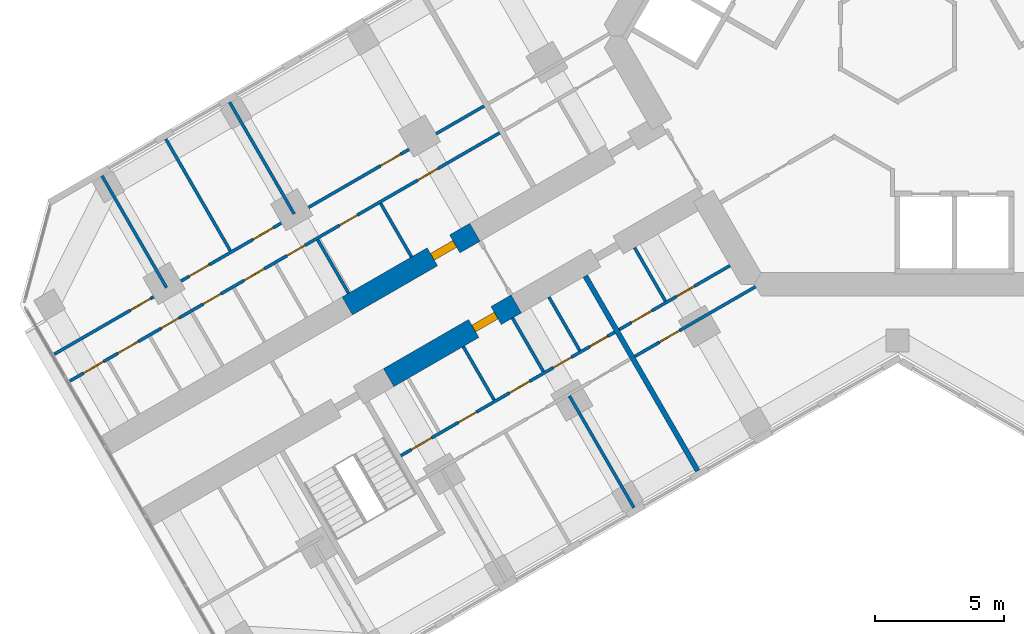
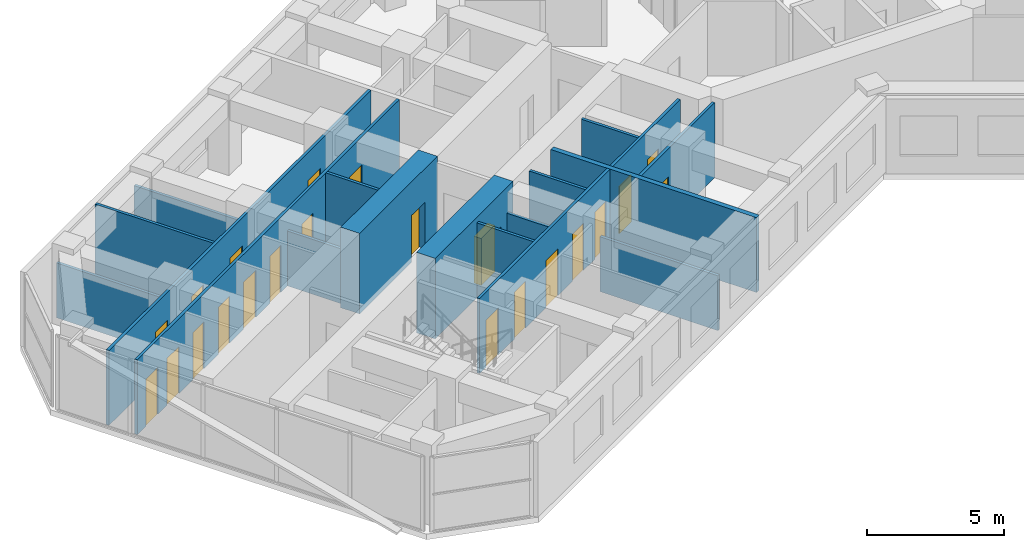
# One storey, part 11 of 19: 22 doors, 18 walls, 22 openings.
"""IFC4 building model written with IfcOpenShell, lengths in metres."""

from ifc_helpers import new_model, si_unit, direction, frame, frame_2d, origin, place, context, subcontext, project, spatial, rectangle, extrude, material, layer, layer_set, type_object, element, fill, save


model = new_model("IFC4")

# Units and contexts
model_context = context("Model", 3, precision=1e-05, world=origin(), true_north=direction((0.0, 1.0)))
body_context = subcontext(model_context, "Body", "Model", "MODEL_VIEW")
ifc_project = project(units=[si_unit("LENGTHUNIT", "METRE"), si_unit("AREAUNIT", "SQUARE_METRE"), si_unit("VOLUMEUNIT", "CUBIC_METRE"), si_unit("PLANEANGLEUNIT", "RADIAN"), si_unit("MASSUNIT", "GRAM", prefix="KILO")], contexts=[model_context])

# Site, building, storey
site_placement = place(None, origin())
site = spatial("IfcSite", under=ifc_project, at=site_placement, CompositionType="ELEMENT")
building_placement = place(site_placement, origin())
building = spatial("IfcBuilding", under=site, at=building_placement, Name="Kosmar Iwan School Tower", CompositionType="ELEMENT")
storey_placement = place(building_placement, frame((0.0, 0.0, 172.39990234375)))
storey = spatial("IfcBuildingStorey", under=building, at=storey_placement, Name="L43", CompositionType="ELEMENT", Elevation=172.39990234375)

# Wall, opening, door
ifc_material_1 = material(Name="Concrete C50/60", Category="concrete")
ifc_layer_1 = layer(ifc_material_1, 0.800048828125)
ifc_layer_set_1 = layer_set([ifc_layer_1], Name="Corridor buttress wall 800")
wall_type_1 = type_object("IfcWallType", Name="Corridor buttress wall 800", PredefinedType="SHEAR", material=ifc_layer_set_1)
wall_1_placement = place(storey_placement, frame((-14.7451171875, -10.360595703125, 0.0), z_axis=(0.0, 0.0, 1.0), x_axis=(-0.866015111908, -0.50001782563, 0.0)))
wall_1 = element("IfcWall", 1, at=wall_1_placement, inside=storey, type_object=wall_type_1, Name="Corridor wall BL bay 2", PredefinedType="SHEAR", context=body_context, shape_type="SweptSolid", body=[
    extrude(rectangle(XDim=5.699951171875, YDim=0.800048828125, at=frame_2d((2.85009765625, 0.0))), origin(), (0.0, 0.0, 1.0), 3.60009765625),
])
opening_1_placement = place(wall_1_placement, frame((0.89990234375, 0.0, 0.0)))
opening_1 = element("IfcOpeningElement", 2, at=opening_1_placement, cuts=wall_1, Name="Opening D1", PredefinedType="OPENING", context=body_context, shape_type="SweptSolid", body=[
    extrude(rectangle(XDim=1.0, YDim=2.10009765625, at=frame_2d((0.5, 1.050048828125))), frame((0.0, 0.412109375, 0.0), z_axis=(0.0, -1.0, 0.0), x_axis=(1.0, 0.0, 0.0)), (0.0, 0.0, 1.0), 0.823974609375),
])
ifc_material_2 = material(Name="Timber fire door in steel frame", Category="steel")
door_type_1 = type_object("IfcDoorType", Name="Flat entrance door 1000x2100", OperationType="SINGLE_SWING_LEFT", PredefinedType="DOOR", material=ifc_material_2)
door_1_placement = place(opening_1_placement, origin())
door_1 = element("IfcDoor", 3, at=door_1_placement, inside=storey, type_object=door_type_1, Name="Flat L43-BL2 entrance door", OperationType="SINGLE_SWING_LEFT", OverallHeight=2.10009765625, OverallWidth=1.0, PredefinedType="DOOR", context=body_context, shape_type="SweptSolid", body=[
    extrude(rectangle(XDim=1.0, YDim=2.10009765625, at=frame_2d((0.5, 1.050048828125))), frame((0.0, 0.14990234375, 0.0), z_axis=(0.0, -1.0, 0.0), x_axis=(1.0, 0.0, 0.0)), (0.0, 0.0, 1.0), 0.300048828125),
])
fill(opening_1, door_1)

wall_2_placement = place(storey_placement, frame((-16.34521484375, -7.58935546875, 0.0), z_axis=(0.0, 0.0, 1.0), x_axis=(-0.866015111908, -0.50001782563, 0.0)))
wall_2 = element("IfcWall", 4, at=wall_2_placement, inside=storey, type_object=wall_type_1, Name="Corridor wall BR bay 2", PredefinedType="SHEAR", context=body_context, shape_type="SweptSolid", body=[
    extrude(rectangle(XDim=5.699951171875, YDim=0.800048828125, at=frame_2d((2.85009765625, 0.0))), origin(), (0.0, 0.0, 1.0), 3.60009765625),
])
opening_2_placement = place(wall_2_placement, frame((0.89990234375, 0.0, 0.0)))
opening_2 = element("IfcOpeningElement", 5, at=opening_2_placement, cuts=wall_2, Name="Opening D1", PredefinedType="OPENING", context=body_context, shape_type="SweptSolid", body=[
    extrude(rectangle(XDim=1.0, YDim=2.10009765625, at=frame_2d((0.5, 1.050048828125))), frame((0.0, 0.412109375, 0.0), z_axis=(0.0, -1.0, 0.0), x_axis=(1.0, 0.0, 0.0)), (0.0, 0.0, 1.0), 0.823974609375),
])
door_2_placement = place(opening_2_placement, origin())
door_2 = element("IfcDoor", 6, at=door_2_placement, inside=storey, type_object=door_type_1, Name="Flat L43-BR2 entrance door", OperationType="SINGLE_SWING_LEFT", OverallHeight=2.10009765625, OverallWidth=1.0, PredefinedType="DOOR", context=body_context, shape_type="SweptSolid", body=[
    extrude(rectangle(XDim=1.0, YDim=2.10009765625, at=frame_2d((0.5, 1.050048828125))), frame((0.0, 0.14990234375, 0.0), z_axis=(0.0, -1.0, 0.0), x_axis=(1.0, 0.0, 0.0)), (0.0, 0.0, 1.0), 0.300048828125),
])
fill(opening_2, door_2)

# Wall, openings, doors
ifc_material_3 = material(Name="Gypsum board on steel studs", Category="steel")
ifc_layer_2 = layer(ifc_material_3, 0.1201171875)
ifc_layer_set_2 = layer_set([ifc_layer_2], Name="Dwelling partition 120")
wall_type_2 = type_object("IfcWallType", Name="Dwelling partition 120", PredefinedType="PARTITIONING", material=ifc_layer_set_2)
wall_3_placement = place(storey_placement, frame((-6.478515625, -8.87890625, 0.0), z_axis=(0.0, 0.0, 1.0), x_axis=(-0.866040211805, -0.499974350878, 0.0)))
wall_3 = element("IfcWall", 7, at=wall_3_placement, inside=storey, type_object=wall_type_2, Name="Partition L43-BL1-W1", PredefinedType="PARTITIONING", context=body_context, shape_type="SweptSolid", body=[
    extrude(rectangle(XDim=4.949951171875, YDim=0.1201171875, at=frame_2d((2.47509765625, 0.0))), origin(), (0.0, 0.0, 1.0), 3.35009765625),
])
opening_3_placement = place(wall_3_placement, frame((1.60009765625, 0.0, 0.0)))
opening_3 = element("IfcOpeningElement", 8, at=opening_3_placement, cuts=wall_3, Name="Opening D3", PredefinedType="OPENING", context=body_context, shape_type="SweptSolid", body=[
    extrude(rectangle(XDim=0.800048828125, YDim=2.10009765625, at=frame_2d((0.39990234375, 1.050048828125))), frame((0.0, 0.072021484375, 0.0), z_axis=(0.0, -1.0, 0.0), x_axis=(1.0, 0.0, 0.0)), (0.0, 0.0, 1.0), 0.14404296875),
])
opening_4_placement = place(wall_3_placement, frame((3.5, 0.0, 0.0)))
opening_4 = element("IfcOpeningElement", 9, at=opening_4_placement, cuts=wall_3, Name="Opening D2", PredefinedType="OPENING", context=body_context, shape_type="SweptSolid", body=[
    extrude(rectangle(XDim=0.89990234375, YDim=2.10009765625, at=frame_2d((0.449951171875, 1.050048828125))), frame((0.0, 0.072021484375, 0.0), z_axis=(0.0, -1.0, 0.0), x_axis=(1.0, 0.0, 0.0)), (0.0, 0.0, 1.0), 0.14404296875),
])
ifc_material_4 = material(Name="Timber door in timber frame", Category="wood")
door_type_2 = type_object("IfcDoorType", Name="Internal door 900x2100", OperationType="SINGLE_SWING_LEFT", PredefinedType="DOOR", material=ifc_material_4)
door_3_placement = place(opening_4_placement, origin())
door_3 = element("IfcDoor", 10, at=door_3_placement, inside=storey, type_object=door_type_2, Name="Entrance hall door L43-BL1-S2", OperationType="SINGLE_SWING_RIGHT", OverallHeight=2.10009765625, OverallWidth=0.89990234375, PredefinedType="DOOR", context=body_context, shape_type="SweptSolid", body=[
    extrude(rectangle(XDim=0.89990234375, YDim=2.10009765625, at=frame_2d((0.449951171875, 1.050048828125))), frame((0.0, 0.02490234375, 0.0), z_axis=(0.0, -1.0, 0.0), x_axis=(1.0, 0.0, 0.0)), (0.0, 0.0, 1.0), 0.050048828125),
])
fill(opening_4, door_3)
ifc_material_5 = material(Name="Timber door in timber frame", Category="wood")
door_type_3 = type_object("IfcDoorType", Name="Sanitary room door 800x2100", OperationType="SINGLE_SWING_LEFT", PredefinedType="DOOR", material=ifc_material_5)
door_4_placement = place(opening_3_placement, origin())
door_4 = element("IfcDoor", 11, at=door_4_placement, inside=storey, type_object=door_type_3, Name="Bathroom door L43-BL1-S1", OperationType="SINGLE_SWING_LEFT", OverallHeight=2.10009765625, OverallWidth=0.800048828125, PredefinedType="DOOR", context=body_context, shape_type="SweptSolid", body=[
    extrude(rectangle(XDim=0.800048828125, YDim=2.10009765625, at=frame_2d((0.39990234375, 1.050048828125))), frame((0.0, 0.02490234375, 0.0), z_axis=(0.0, -1.0, 0.0), x_axis=(1.0, 0.0, 0.0)), (0.0, 0.0, 1.0), 0.050048828125),
])
fill(opening_3, door_4)

# Wall, opening, door
wall_4_placement = place(storey_placement, frame((-5.48876953125, -9.693115234375, 0.0), z_axis=(0.0, 0.0, 1.0), x_axis=(-0.866028230842, -0.499995103361, 0.0)))
wall_4 = element("IfcWall", 12, at=wall_4_placement, inside=storey, type_object=wall_type_2, Name="Partition L43-BL1-W2", PredefinedType="PARTITIONING", context=body_context, shape_type="SweptSolid", body=[
    extrude(rectangle(XDim=5.39990234375, YDim=0.1201171875, at=frame_2d((2.699951171875, 0.0))), origin(), (0.0, 0.0, 1.0), 3.35009765625),
])
opening_5_placement = place(wall_4_placement, frame((3.39990234375, 0.0, 0.0)))
opening_5 = element("IfcOpeningElement", 13, at=opening_5_placement, cuts=wall_4, Name="Opening D2", PredefinedType="OPENING", context=body_context, shape_type="SweptSolid", body=[
    extrude(rectangle(XDim=0.89990234375, YDim=2.10009765625, at=frame_2d((0.449951171875, 1.050048828125))), frame((0.0, 0.072021484375, 0.0), z_axis=(0.0, -1.0, 0.0), x_axis=(1.0, 0.0, 0.0)), (0.0, 0.0, 1.0), 0.14404296875),
])
door_5_placement = place(opening_5_placement, origin())
door_5 = element("IfcDoor", 14, at=door_5_placement, inside=storey, type_object=door_type_2, Name="Studio living room and kitchen door L43-BL1-F1", OperationType="SINGLE_SWING_RIGHT", OverallHeight=2.10009765625, OverallWidth=0.89990234375, PredefinedType="DOOR", context=body_context, shape_type="SweptSolid", body=[
    extrude(rectangle(XDim=0.89990234375, YDim=2.10009765625, at=frame_2d((0.449951171875, 1.050048828125))), frame((0.0, 0.02490234375, 0.0), z_axis=(0.0, -1.0, 0.0), x_axis=(1.0, 0.0, 0.0)), (0.0, 0.0, 1.0), 0.050048828125),
])
fill(opening_5, door_5)

# Wall
wall_5_placement = place(storey_placement, frame((-10.171630859375, -8.18212890625, 0.0), z_axis=(0.0, 0.0, 1.0), x_axis=(0.499940577336, -0.866059708757, 0.0)))
element("IfcWall", 15, at=wall_5_placement, inside=storey, type_object=wall_type_2, Name="Partition L43-BL1-Y1", PredefinedType="PARTITIONING", context=body_context, shape_type="SweptSolid", body=[
    extrude(rectangle(XDim=2.389892578125, YDim=0.1201171875, at=frame_2d((1.19482421875, 0.0))), origin(), (0.0, 0.0, 1.0), 3.35009765625),
])

# Wall, openings, doors
wall_6_placement = place(storey_placement, frame((-10.9384765625, -11.453857421875, 0.0), z_axis=(0.0, 0.0, 1.0), x_axis=(-0.866035311659, -0.499982838664, 0.0)))
wall_6 = element("IfcWall", 16, at=wall_6_placement, inside=storey, type_object=wall_type_2, Name="Partition L43-BL2-W1", PredefinedType="PARTITIONING", context=body_context, shape_type="SweptSolid", body=[
    extrude(rectangle(XDim=9.550048828125, YDim=0.1201171875, at=frame_2d((4.77490234375, 0.0))), origin(), (0.0, 0.0, 1.0), 3.35009765625),
])
opening_6_placement = place(wall_6_placement, frame((0.3125, 0.0, 0.0)))
opening_6 = element("IfcOpeningElement", 17, at=opening_6_placement, cuts=wall_6, Name="Opening D3", PredefinedType="OPENING", context=body_context, shape_type="SweptSolid", body=[
    extrude(rectangle(XDim=0.800048828125, YDim=2.10009765625, at=frame_2d((0.39990234375, 1.050048828125))), frame((0.0, 0.072021484375, 0.0), z_axis=(0.0, -1.0, 0.0), x_axis=(1.0, 0.0, 0.0)), (0.0, 0.0, 1.0), 0.14404296875),
])
opening_7_placement = place(wall_6_placement, frame((1.9375, 0.0, 0.0)))
opening_7 = element("IfcOpeningElement", 18, at=opening_7_placement, cuts=wall_6, Name="Opening D3", PredefinedType="OPENING", context=body_context, shape_type="SweptSolid", body=[
    extrude(rectangle(XDim=0.800048828125, YDim=2.10009765625, at=frame_2d((0.39990234375, 1.050048828125))), frame((0.0, 0.072021484375, 0.0), z_axis=(0.0, -1.0, 0.0), x_axis=(1.0, 0.0, 0.0)), (0.0, 0.0, 1.0), 0.14404296875),
])
opening_8_placement = place(wall_6_placement, frame((3.800048828125, 0.0, 0.0)))
opening_8 = element("IfcOpeningElement", 19, at=opening_8_placement, cuts=wall_6, Name="Opening D2", PredefinedType="OPENING", context=body_context, shape_type="SweptSolid", body=[
    extrude(rectangle(XDim=0.89990234375, YDim=2.10009765625, at=frame_2d((0.449951171875, 1.050048828125))), frame((0.0, 0.072021484375, 0.0), z_axis=(0.0, -1.0, 0.0), x_axis=(1.0, 0.0, 0.0)), (0.0, 0.0, 1.0), 0.14404296875),
])
opening_9_placement = place(wall_6_placement, frame((6.179931640625, 0.0, 0.0)))
opening_9 = element("IfcOpeningElement", 20, at=opening_9_placement, cuts=wall_6, Name="Opening D3", PredefinedType="OPENING", context=body_context, shape_type="SweptSolid", body=[
    extrude(rectangle(XDim=0.800048828125, YDim=2.10009765625, at=frame_2d((0.39990234375, 1.050048828125))), frame((0.0, 0.072021484375, 0.0), z_axis=(0.0, -1.0, 0.0), x_axis=(1.0, 0.0, 0.0)), (0.0, 0.0, 1.0), 0.14404296875),
])
opening_10_placement = place(wall_6_placement, frame((8.179931640625, 0.0, 0.0)))
opening_10 = element("IfcOpeningElement", 21, at=opening_10_placement, cuts=wall_6, Name="Opening D2", PredefinedType="OPENING", context=body_context, shape_type="SweptSolid", body=[
    extrude(rectangle(XDim=0.89990234375, YDim=2.10009765625, at=frame_2d((0.449951171875, 1.050048828125))), frame((0.0, 0.072021484375, 0.0), z_axis=(0.0, -1.0, 0.0), x_axis=(1.0, 0.0, 0.0)), (0.0, 0.0, 1.0), 0.14404296875),
])
door_6_placement = place(opening_8_placement, origin())
door_6 = element("IfcDoor", 22, at=door_6_placement, inside=storey, type_object=door_type_2, Name="Entrance hall door L43-BL2-S3", OperationType="SINGLE_SWING_LEFT", OverallHeight=2.10009765625, OverallWidth=0.89990234375, PredefinedType="DOOR", context=body_context, shape_type="SweptSolid", body=[
    extrude(rectangle(XDim=0.89990234375, YDim=2.10009765625, at=frame_2d((0.449951171875, 1.050048828125))), frame((0.0, 0.02490234375, 0.0), z_axis=(0.0, -1.0, 0.0), x_axis=(1.0, 0.0, 0.0)), (0.0, 0.0, 1.0), 0.050048828125),
])
fill(opening_8, door_6)
door_7_placement = place(opening_10_placement, frame((0.89990234375, 0.0, 0.0), z_axis=(0.0, 0.0, 1.0), x_axis=(-1.0, 0.0, 0.0)))
door_7 = element("IfcDoor", 23, at=door_7_placement, inside=storey, type_object=door_type_2, Name="Pantry door L43-BL2-S5", OperationType="SINGLE_SWING_LEFT", OverallHeight=2.10009765625, OverallWidth=0.89990234375, PredefinedType="DOOR", context=body_context, shape_type="SweptSolid", body=[
    extrude(rectangle(XDim=0.89990234375, YDim=2.10009765625, at=frame_2d((0.449951171875, 1.050048828125))), frame((0.0, 0.02490234375, 0.0), z_axis=(0.0, -1.0, 0.0), x_axis=(1.0, 0.0, 0.0)), (0.0, 0.0, 1.0), 0.050048828125),
])
fill(opening_10, door_7)
door_8_placement = place(opening_6_placement, origin())
door_8 = element("IfcDoor", 24, at=door_8_placement, inside=storey, type_object=door_type_3, Name="WC door L43-BL2-S1", OperationType="SINGLE_SWING_LEFT", OverallHeight=2.10009765625, OverallWidth=0.800048828125, PredefinedType="DOOR", context=body_context, shape_type="SweptSolid", body=[
    extrude(rectangle(XDim=0.800048828125, YDim=2.10009765625, at=frame_2d((0.39990234375, 1.050048828125))), frame((0.0, 0.02490234375, 0.0), z_axis=(0.0, -1.0, 0.0), x_axis=(1.0, 0.0, 0.0)), (0.0, 0.0, 1.0), 0.050048828125),
])
fill(opening_6, door_8)
door_9_placement = place(opening_7_placement, origin())
door_9 = element("IfcDoor", 25, at=door_9_placement, inside=storey, type_object=door_type_3, Name="Shower room door L43-BL2-S2", OperationType="SINGLE_SWING_LEFT", OverallHeight=2.10009765625, OverallWidth=0.800048828125, PredefinedType="DOOR", context=body_context, shape_type="SweptSolid", body=[
    extrude(rectangle(XDim=0.800048828125, YDim=2.10009765625, at=frame_2d((0.39990234375, 1.050048828125))), frame((0.0, 0.02490234375, 0.0), z_axis=(0.0, -1.0, 0.0), x_axis=(1.0, 0.0, 0.0)), (0.0, 0.0, 1.0), 0.050048828125),
])
fill(opening_7, door_9)
door_10_placement = place(opening_9_placement, origin())
door_10 = element("IfcDoor", 26, at=door_10_placement, inside=storey, type_object=door_type_3, Name="Bathroom door L43-BL2-S4", OperationType="SINGLE_SWING_RIGHT", OverallHeight=2.10009765625, OverallWidth=0.800048828125, PredefinedType="DOOR", context=body_context, shape_type="SweptSolid", body=[
    extrude(rectangle(XDim=0.800048828125, YDim=2.10009765625, at=frame_2d((0.39990234375, 1.050048828125))), frame((0.0, 0.02490234375, 0.0), z_axis=(0.0, -1.0, 0.0), x_axis=(1.0, 0.0, 0.0)), (0.0, 0.0, 1.0), 0.050048828125),
])
fill(opening_9, door_10)

# Walls
wall_7_placement = place(storey_placement, frame((-12.690185546875, -13.919921875, 0.0), z_axis=(0.0, 0.0, 1.0), x_axis=(0.500011847778, -0.866018563358, 0.0)))
element("IfcWall", 27, at=wall_7_placement, inside=storey, type_object=wall_type_2, Name="Partition L43-BL2-X1", PredefinedType="PARTITIONING", context=body_context, shape_type="SweptSolid", body=[
    extrude(rectangle(XDim=4.990234375, YDim=0.1201171875, at=frame_2d((2.4951171875, 0.0))), origin(), (0.0, 0.0, 1.0), 2.4501953125),
])
wall_8_placement = place(storey_placement, frame((-13.484375, -10.094482421875, 0.0), z_axis=(0.0, 0.0, 1.0), x_axis=(0.500017192868, -0.86601547725, 0.0)))
element("IfcWall", 28, at=wall_8_placement, inside=storey, type_object=wall_type_2, Name="Partition L43-BL2-Y1", PredefinedType="PARTITIONING", context=body_context, shape_type="SweptSolid", body=[
    extrude(rectangle(XDim=2.39013671875, YDim=0.1201171875, at=frame_2d((1.195068359375, 0.0))), origin(), (0.0, 0.0, 1.0), 3.35009765625),
])
wall_9_placement = place(storey_placement, frame((-14.8916015625, -10.906982421875, 0.0), z_axis=(0.0, 0.0, 1.0), x_axis=(0.500017192868, -0.86601547725, 0.0)))
element("IfcWall", 29, at=wall_9_placement, inside=storey, type_object=wall_type_2, Name="Partition L43-BL2-Y2", PredefinedType="PARTITIONING", context=body_context, shape_type="SweptSolid", body=[
    extrude(rectangle(XDim=2.39013671875, YDim=0.1201171875, at=frame_2d((1.195068359375, 0.0))), origin(), (0.0, 0.0, 1.0), 2.4501953125),
])
wall_10_placement = place(storey_placement, frame((-16.796875, -12.007080078125, 0.0), z_axis=(0.0, 0.0, 1.0), x_axis=(0.500017192868, -0.86601547725, 0.0)))
element("IfcWall", 30, at=wall_10_placement, inside=storey, type_object=wall_type_2, Name="Partition L43-BL2-Y3", PredefinedType="PARTITIONING", context=body_context, shape_type="SweptSolid", body=[
    extrude(rectangle(XDim=2.39013671875, YDim=0.1201171875, at=frame_2d((1.195068359375, 0.0))), origin(), (0.0, 0.0, 1.0), 3.35009765625),
])

# Wall, openings, doors
wall_11_placement = place(storey_placement, frame((-15.388671875, -3.74609375, 0.0), z_axis=(0.0, 0.0, 1.0), x_axis=(-0.866021011428, -0.500007607708, 0.0)))
wall_11 = element("IfcWall", 31, at=wall_11_placement, inside=storey, type_object=wall_type_2, Name="Partition L43-BR2-W1", PredefinedType="PARTITIONING", context=body_context, shape_type="SweptSolid", body=[
    extrude(rectangle(XDim=19.195068359375, YDim=0.1201171875, at=frame_2d((9.59765625, 0.0))), origin(), (0.0, 0.0, 1.0), 3.35009765625),
])
opening_11_placement = place(wall_11_placement, frame((2.75, 0.0, 0.0)))
opening_11 = element("IfcOpeningElement", 32, at=opening_11_placement, cuts=wall_11, Name="Opening D2", PredefinedType="OPENING", context=body_context, shape_type="SweptSolid", body=[
    extrude(rectangle(XDim=0.89990234375, YDim=2.10009765625, at=frame_2d((0.449951171875, 1.050048828125))), frame((0.0, 0.072021484375, 0.0), z_axis=(0.0, -1.0, 0.0), x_axis=(1.0, 0.0, 0.0)), (0.0, 0.0, 1.0), 0.14404296875),
])
opening_12_placement = place(wall_11_placement, frame((6.35498046875, 0.0, 0.0)))
opening_12 = element("IfcOpeningElement", 33, at=opening_12_placement, cuts=wall_11, Name="Opening D3", PredefinedType="OPENING", context=body_context, shape_type="SweptSolid", body=[
    extrude(rectangle(XDim=0.800048828125, YDim=2.10009765625, at=frame_2d((0.39990234375, 1.050048828125))), frame((0.0, 0.072021484375, 0.0), z_axis=(0.0, -1.0, 0.0), x_axis=(1.0, 0.0, 0.0)), (0.0, 0.0, 1.0), 0.14404296875),
])
opening_13_placement = place(wall_11_placement, frame((8.69677734375, 0.0, 0.0)))
opening_13 = element("IfcOpeningElement", 34, at=opening_13_placement, cuts=wall_11, Name="Opening D3", PredefinedType="OPENING", context=body_context, shape_type="SweptSolid", body=[
    extrude(rectangle(XDim=0.800048828125, YDim=2.10009765625, at=frame_2d((0.39990234375, 1.050048828125))), frame((0.0, 0.072021484375, 0.0), z_axis=(0.0, -1.0, 0.0), x_axis=(1.0, 0.0, 0.0)), (0.0, 0.0, 1.0), 0.14404296875),
])
opening_14_placement = place(wall_11_placement, frame((10.52001953125, 0.0, 0.0)))
opening_14 = element("IfcOpeningElement", 35, at=opening_14_placement, cuts=wall_11, Name="Opening D2", PredefinedType="OPENING", context=body_context, shape_type="SweptSolid", body=[
    extrude(rectangle(XDim=0.89990234375, YDim=2.10009765625, at=frame_2d((0.449951171875, 1.050048828125))), frame((0.0, 0.072021484375, 0.0), z_axis=(0.0, -1.0, 0.0), x_axis=(1.0, 0.0, 0.0)), (0.0, 0.0, 1.0), 0.14404296875),
])
opening_15_placement = place(wall_11_placement, frame((12.443359375, 0.0, 0.0)))
opening_15 = element("IfcOpeningElement", 36, at=opening_15_placement, cuts=wall_11, Name="Opening D3", PredefinedType="OPENING", context=body_context, shape_type="SweptSolid", body=[
    extrude(rectangle(XDim=0.800048828125, YDim=2.10009765625, at=frame_2d((0.39990234375, 1.050048828125))), frame((0.0, 0.072021484375, 0.0), z_axis=(0.0, -1.0, 0.0), x_axis=(1.0, 0.0, 0.0)), (0.0, 0.0, 1.0), 0.14404296875),
])
opening_16_placement = place(wall_11_placement, frame((14.316650390625, 0.0, 0.0)))
opening_16 = element("IfcOpeningElement", 37, at=opening_16_placement, cuts=wall_11, Name="Opening D3", PredefinedType="OPENING", context=body_context, shape_type="SweptSolid", body=[
    extrude(rectangle(XDim=0.800048828125, YDim=2.10009765625, at=frame_2d((0.39990234375, 1.050048828125))), frame((0.0, 0.072021484375, 0.0), z_axis=(0.0, -1.0, 0.0), x_axis=(1.0, 0.0, 0.0)), (0.0, 0.0, 1.0), 0.14404296875),
])
opening_17_placement = place(wall_11_placement, frame((16.139892578125, 0.0, 0.0)))
opening_17 = element("IfcOpeningElement", 38, at=opening_17_placement, cuts=wall_11, Name="Opening D2", PredefinedType="OPENING", context=body_context, shape_type="SweptSolid", body=[
    extrude(rectangle(XDim=0.89990234375, YDim=2.10009765625, at=frame_2d((0.449951171875, 1.050048828125))), frame((0.0, 0.072021484375, 0.0), z_axis=(0.0, -1.0, 0.0), x_axis=(1.0, 0.0, 0.0)), (0.0, 0.0, 1.0), 0.14404296875),
])
opening_18_placement = place(wall_11_placement, frame((17.686767578125, 0.0, 0.0)))
opening_18 = element("IfcOpeningElement", 39, at=opening_18_placement, cuts=wall_11, Name="Opening D2", PredefinedType="OPENING", context=body_context, shape_type="SweptSolid", body=[
    extrude(rectangle(XDim=0.89990234375, YDim=2.10009765625, at=frame_2d((0.449951171875, 1.050048828125))), frame((0.0, 0.072021484375, 0.0), z_axis=(0.0, -1.0, 0.0), x_axis=(1.0, 0.0, 0.0)), (0.0, 0.0, 1.0), 0.14404296875),
])
door_11_placement = place(opening_11_placement, origin())
door_11 = element("IfcDoor", 40, at=door_11_placement, inside=storey, type_object=door_type_2, Name="Entrance hall door L43-BR2-S1", OperationType="SINGLE_SWING_RIGHT", OverallHeight=2.10009765625, OverallWidth=0.89990234375, PredefinedType="DOOR", context=body_context, shape_type="SweptSolid", body=[
    extrude(rectangle(XDim=0.89990234375, YDim=2.10009765625, at=frame_2d((0.449951171875, 1.050048828125))), frame((0.0, 0.02490234375, 0.0), z_axis=(0.0, -1.0, 0.0), x_axis=(1.0, 0.0, 0.0)), (0.0, 0.0, 1.0), 0.050048828125),
])
fill(opening_11, door_11)
door_12_placement = place(opening_14_placement, origin())
door_12 = element("IfcDoor", 41, at=door_12_placement, inside=storey, type_object=door_type_2, Name="Pantry door L43-BR2-S4", OperationType="SINGLE_SWING_RIGHT", OverallHeight=2.10009765625, OverallWidth=0.89990234375, PredefinedType="DOOR", context=body_context, shape_type="SweptSolid", body=[
    extrude(rectangle(XDim=0.89990234375, YDim=2.10009765625, at=frame_2d((0.449951171875, 1.050048828125))), frame((0.0, 0.02490234375, 0.0), z_axis=(0.0, -1.0, 0.0), x_axis=(1.0, 0.0, 0.0)), (0.0, 0.0, 1.0), 0.050048828125),
])
fill(opening_14, door_12)
door_13_placement = place(opening_17_placement, origin())
door_13 = element("IfcDoor", 42, at=door_13_placement, inside=storey, type_object=door_type_2, Name="Utility room door L43-BR2-S7", OperationType="SINGLE_SWING_LEFT", OverallHeight=2.10009765625, OverallWidth=0.89990234375, PredefinedType="DOOR", context=body_context, shape_type="SweptSolid", body=[
    extrude(rectangle(XDim=0.89990234375, YDim=2.10009765625, at=frame_2d((0.449951171875, 1.050048828125))), frame((0.0, 0.02490234375, 0.0), z_axis=(0.0, -1.0, 0.0), x_axis=(1.0, 0.0, 0.0)), (0.0, 0.0, 1.0), 0.050048828125),
])
fill(opening_17, door_13)
door_14_placement = place(opening_18_placement, origin())
door_14 = element("IfcDoor", 43, at=door_14_placement, inside=storey, type_object=door_type_2, Name="Dressing room door L43-BR2-S8", OperationType="SINGLE_SWING_LEFT", OverallHeight=2.10009765625, OverallWidth=0.89990234375, PredefinedType="DOOR", context=body_context, shape_type="SweptSolid", body=[
    extrude(rectangle(XDim=0.89990234375, YDim=2.10009765625, at=frame_2d((0.449951171875, 1.050048828125))), frame((0.0, 0.02490234375, 0.0), z_axis=(0.0, -1.0, 0.0), x_axis=(1.0, 0.0, 0.0)), (0.0, 0.0, 1.0), 0.050048828125),
])
fill(opening_18, door_14)
door_15_placement = place(opening_12_placement, origin())
door_15 = element("IfcDoor", 44, at=door_15_placement, inside=storey, type_object=door_type_3, Name="Bathroom door L43-BR2-S2", OperationType="SINGLE_SWING_RIGHT", OverallHeight=2.10009765625, OverallWidth=0.800048828125, PredefinedType="DOOR", context=body_context, shape_type="SweptSolid", body=[
    extrude(rectangle(XDim=0.800048828125, YDim=2.10009765625, at=frame_2d((0.39990234375, 1.050048828125))), frame((0.0, 0.02490234375, 0.0), z_axis=(0.0, -1.0, 0.0), x_axis=(1.0, 0.0, 0.0)), (0.0, 0.0, 1.0), 0.050048828125),
])
fill(opening_12, door_15)
door_16_placement = place(opening_13_placement, origin())
door_16 = element("IfcDoor", 45, at=door_16_placement, inside=storey, type_object=door_type_3, Name="Shower room door L43-BR2-S3", OperationType="SINGLE_SWING_LEFT", OverallHeight=2.10009765625, OverallWidth=0.800048828125, PredefinedType="DOOR", context=body_context, shape_type="SweptSolid", body=[
    extrude(rectangle(XDim=0.800048828125, YDim=2.10009765625, at=frame_2d((0.39990234375, 1.050048828125))), frame((0.0, 0.02490234375, 0.0), z_axis=(0.0, -1.0, 0.0), x_axis=(1.0, 0.0, 0.0)), (0.0, 0.0, 1.0), 0.050048828125),
])
fill(opening_13, door_16)
door_17_placement = place(opening_15_placement, origin())
door_17 = element("IfcDoor", 46, at=door_17_placement, inside=storey, type_object=door_type_3, Name="WC door L43-BR2-S5", OperationType="SINGLE_SWING_LEFT", OverallHeight=2.10009765625, OverallWidth=0.800048828125, PredefinedType="DOOR", context=body_context, shape_type="SweptSolid", body=[
    extrude(rectangle(XDim=0.800048828125, YDim=2.10009765625, at=frame_2d((0.39990234375, 1.050048828125))), frame((0.0, 0.02490234375, 0.0), z_axis=(0.0, -1.0, 0.0), x_axis=(1.0, 0.0, 0.0)), (0.0, 0.0, 1.0), 0.050048828125),
])
fill(opening_15, door_17)
door_18_placement = place(opening_16_placement, origin())
door_18 = element("IfcDoor", 47, at=door_18_placement, inside=storey, type_object=door_type_3, Name="Store door L43-BR2-S6", OperationType="SINGLE_SWING_RIGHT", OverallHeight=2.10009765625, OverallWidth=0.800048828125, PredefinedType="DOOR", context=body_context, shape_type="SweptSolid", body=[
    extrude(rectangle(XDim=0.800048828125, YDim=2.10009765625, at=frame_2d((0.39990234375, 1.050048828125))), frame((0.0, 0.02490234375, 0.0), z_axis=(0.0, -1.0, 0.0), x_axis=(1.0, 0.0, 0.0)), (0.0, 0.0, 1.0), 0.050048828125),
])
fill(opening_16, door_18)

wall_12_placement = place(storey_placement, frame((-15.988525390625, -2.70703125, 0.0), z_axis=(0.0, 0.0, 1.0), x_axis=(-0.866029698618, -0.499992561057, 0.0)))
wall_12 = element("IfcWall", 48, at=wall_12_placement, inside=storey, type_object=wall_type_2, Name="Partition L43-BR2-W2", PredefinedType="PARTITIONING", context=body_context, shape_type="SweptSolid", body=[
    extrude(rectangle(XDim=19.195068359375, YDim=0.1201171875, at=frame_2d((9.59765625, 0.0))), origin(), (0.0, 0.0, 1.0), 3.35009765625),
])
opening_19_placement = place(wall_12_placement, frame((3.72509765625, 0.0, 0.0)))
opening_19 = element("IfcOpeningElement", 49, at=opening_19_placement, cuts=wall_12, Name="Opening D2", PredefinedType="OPENING", context=body_context, shape_type="SweptSolid", body=[
    extrude(rectangle(XDim=0.89990234375, YDim=2.10009765625, at=frame_2d((0.449951171875, 1.050048828125))), frame((0.0, 0.072021484375, 0.0), z_axis=(0.0, -1.0, 0.0), x_axis=(1.0, 0.0, 0.0)), (0.0, 0.0, 1.0), 0.14404296875),
])
opening_20_placement = place(wall_12_placement, frame((9.425048828125, 0.0, 0.0)))
opening_20 = element("IfcOpeningElement", 50, at=opening_20_placement, cuts=wall_12, Name="Opening D2", PredefinedType="OPENING", context=body_context, shape_type="SweptSolid", body=[
    extrude(rectangle(XDim=0.89990234375, YDim=2.10009765625, at=frame_2d((0.449951171875, 1.050048828125))), frame((0.0, 0.072021484375, 0.0), z_axis=(0.0, -1.0, 0.0), x_axis=(1.0, 0.0, 0.0)), (0.0, 0.0, 1.0), 0.14404296875),
])
opening_21_placement = place(wall_12_placement, frame((12.27490234375, 0.0, 0.0)))
opening_21 = element("IfcOpeningElement", 51, at=opening_21_placement, cuts=wall_12, Name="Opening D2", PredefinedType="OPENING", context=body_context, shape_type="SweptSolid", body=[
    extrude(rectangle(XDim=0.89990234375, YDim=2.10009765625, at=frame_2d((0.449951171875, 1.050048828125))), frame((0.0, 0.072021484375, 0.0), z_axis=(0.0, -1.0, 0.0), x_axis=(1.0, 0.0, 0.0)), (0.0, 0.0, 1.0), 0.14404296875),
])
opening_22_placement = place(wall_12_placement, frame((14.89990234375, 0.0, 0.0)))
opening_22 = element("IfcOpeningElement", 52, at=opening_22_placement, cuts=wall_12, Name="Opening D2", PredefinedType="OPENING", context=body_context, shape_type="SweptSolid", body=[
    extrude(rectangle(XDim=0.89990234375, YDim=2.10009765625, at=frame_2d((0.449951171875, 1.050048828125))), frame((0.0, 0.072021484375, 0.0), z_axis=(0.0, -1.0, 0.0), x_axis=(1.0, 0.0, 0.0)), (0.0, 0.0, 1.0), 0.14404296875),
])
door_19_placement = place(opening_19_placement, origin())
door_19 = element("IfcDoor", 53, at=door_19_placement, inside=storey, type_object=door_type_2, Name="Living room door L43-BR2-F1", OperationType="SINGLE_SWING_LEFT", OverallHeight=2.10009765625, OverallWidth=0.89990234375, PredefinedType="DOOR", context=body_context, shape_type="SweptSolid", body=[
    extrude(rectangle(XDim=0.89990234375, YDim=2.10009765625, at=frame_2d((0.449951171875, 1.050048828125))), frame((0.0, 0.02490234375, 0.0), z_axis=(0.0, -1.0, 0.0), x_axis=(1.0, 0.0, 0.0)), (0.0, 0.0, 1.0), 0.050048828125),
])
fill(opening_19, door_19)
door_20_placement = place(opening_20_placement, origin())
door_20 = element("IfcDoor", 54, at=door_20_placement, inside=storey, type_object=door_type_2, Name="Kitchen and dining room door L43-BR2-F2", OperationType="SINGLE_SWING_RIGHT", OverallHeight=2.10009765625, OverallWidth=0.89990234375, PredefinedType="DOOR", context=body_context, shape_type="SweptSolid", body=[
    extrude(rectangle(XDim=0.89990234375, YDim=2.10009765625, at=frame_2d((0.449951171875, 1.050048828125))), frame((0.0, 0.02490234375, 0.0), z_axis=(0.0, -1.0, 0.0), x_axis=(1.0, 0.0, 0.0)), (0.0, 0.0, 1.0), 0.050048828125),
])
fill(opening_20, door_20)
door_21_placement = place(opening_21_placement, origin())
door_21 = element("IfcDoor", 55, at=door_21_placement, inside=storey, type_object=door_type_2, Name="Bedroom 1 door L43-BR2-F3", OperationType="SINGLE_SWING_RIGHT", OverallHeight=2.10009765625, OverallWidth=0.89990234375, PredefinedType="DOOR", context=body_context, shape_type="SweptSolid", body=[
    extrude(rectangle(XDim=0.89990234375, YDim=2.10009765625, at=frame_2d((0.449951171875, 1.050048828125))), frame((0.0, 0.02490234375, 0.0), z_axis=(0.0, -1.0, 0.0), x_axis=(1.0, 0.0, 0.0)), (0.0, 0.0, 1.0), 0.050048828125),
])
fill(opening_21, door_21)
door_22_placement = place(opening_22_placement, origin())
door_22 = element("IfcDoor", 56, at=door_22_placement, inside=storey, type_object=door_type_2, Name="Bedroom 2 door L43-BR2-F4", OperationType="SINGLE_SWING_RIGHT", OverallHeight=2.10009765625, OverallWidth=0.89990234375, PredefinedType="DOOR", context=body_context, shape_type="SweptSolid", body=[
    extrude(rectangle(XDim=0.89990234375, YDim=2.10009765625, at=frame_2d((0.449951171875, 1.050048828125))), frame((0.0, 0.02490234375, 0.0), z_axis=(0.0, -1.0, 0.0), x_axis=(1.0, 0.0, 0.0)), (0.0, 0.0, 1.0), 0.050048828125),
])
fill(opening_22, door_22)

# Walls
wall_13_placement = place(storey_placement, frame((-23.33642578125, -6.8798828125, 0.0), z_axis=(0.0, 0.0, 1.0), x_axis=(-0.500033033937, 0.866006330792, 0.0)))
element("IfcWall", 57, at=wall_13_placement, inside=storey, type_object=wall_type_2, Name="Partition L43-BR2-X1", PredefinedType="PARTITIONING", context=body_context, shape_type="SweptSolid", body=[
    extrude(rectangle(XDim=4.989990234375, YDim=0.1201171875, at=frame_2d((2.4951171875, 0.0))), origin(), (0.0, 0.0, 1.0), 2.4501953125),
])
wall_14_placement = place(storey_placement, frame((-25.8046875, -8.304931640625, 0.0), z_axis=(0.0, 0.0, 1.0), x_axis=(-0.499975153383, 0.86603974851, 0.0)))
element("IfcWall", 58, at=wall_14_placement, inside=storey, type_object=wall_type_2, Name="Partition L43-BR2-X2", PredefinedType="PARTITIONING", context=body_context, shape_type="SweptSolid", body=[
    extrude(rectangle(XDim=4.989990234375, YDim=0.1201171875, at=frame_2d((2.4951171875, 0.0))), origin(), (0.0, 0.0, 1.0), 3.35009765625),
])
wall_15_placement = place(storey_placement, frame((-28.27294921875, -9.72998046875, 0.0), z_axis=(0.0, 0.0, 1.0), x_axis=(-0.499975153383, 0.86603974851, 0.0)))
element("IfcWall", 59, at=wall_15_placement, inside=storey, type_object=wall_type_2, Name="Partition L43-BR2-X3", PredefinedType="PARTITIONING", context=body_context, shape_type="SweptSolid", body=[
    extrude(rectangle(XDim=4.989990234375, YDim=0.1201171875, at=frame_2d((2.4951171875, 0.0))), origin(), (0.0, 0.0, 1.0), 2.4501953125),
])
wall_16_placement = place(storey_placement, frame((-18.796875, -8.54296875, 0.0), z_axis=(0.0, 0.0, 1.0), x_axis=(-0.500017192868, 0.86601547725, 0.0)))
element("IfcWall", 60, at=wall_16_placement, inside=storey, type_object=wall_type_2, Name="Partition L43-BR2-Y1", PredefinedType="PARTITIONING", context=body_context, shape_type="SweptSolid", body=[
    extrude(rectangle(XDim=2.39013671875, YDim=0.1201171875, at=frame_2d((1.195068359375, 0.0))), origin(), (0.0, 0.0, 1.0), 3.35009765625),
])
wall_17_placement = place(storey_placement, frame((-21.23046875, -9.947998046875, 0.0), z_axis=(0.0, 0.0, 1.0), x_axis=(-0.499940577336, 0.866059708757, 0.0)))
element("IfcWall", 61, at=wall_17_placement, inside=storey, type_object=wall_type_2, Name="Partition L43-BR2-Y2", PredefinedType="PARTITIONING", context=body_context, shape_type="SweptSolid", body=[
    extrude(rectangle(XDim=2.389892578125, YDim=0.1201171875, at=frame_2d((1.19482421875, 0.0))), origin(), (0.0, 0.0, 1.0), 2.4501953125),
])
ifc_material_6 = material(Name="Concrete block masonry", Category="masonry")
ifc_layer_3 = layer(ifc_material_6, 0.199951171875)
ifc_layer_set_3 = layer_set([ifc_layer_3], Name="Party wall 200")
wall_type_3 = type_object("IfcWallType", Name="Party wall 200", PredefinedType="PARTITIONING", material=ifc_layer_set_3)
wall_18_placement = place(storey_placement, frame((-12.076904296875, -9.281982421875, 0.0), z_axis=(0.0, 0.0, 1.0), x_axis=(0.499987231761, -0.866032775405, 0.0)))
element("IfcWall", 62, at=wall_18_placement, inside=storey, type_object=wall_type_3, Name="Partition L43-BL2-PW", PredefinedType="PARTITIONING", context=body_context, shape_type="SweptSolid", body=[
    extrude(rectangle(XDim=8.699951171875, YDim=0.199951171875, at=frame_2d((4.35009765625, 0.0))), origin(), (0.0, 0.0, 1.0), 3.35009765625),
])

save(model, "model.ifc")
